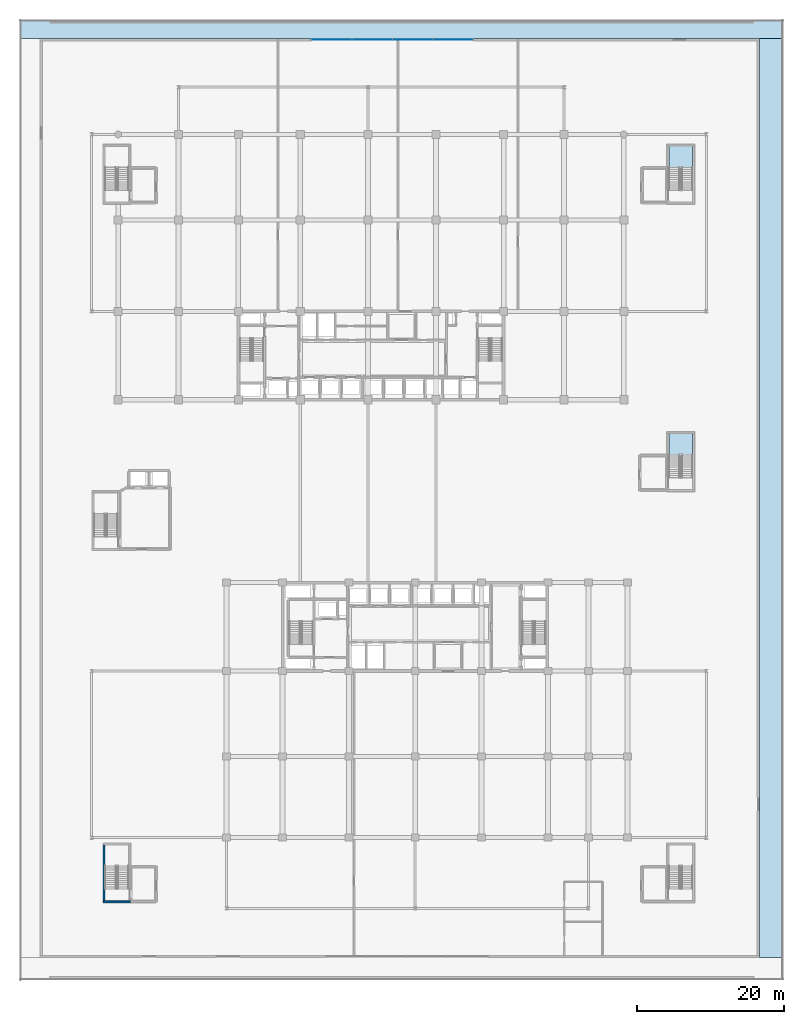
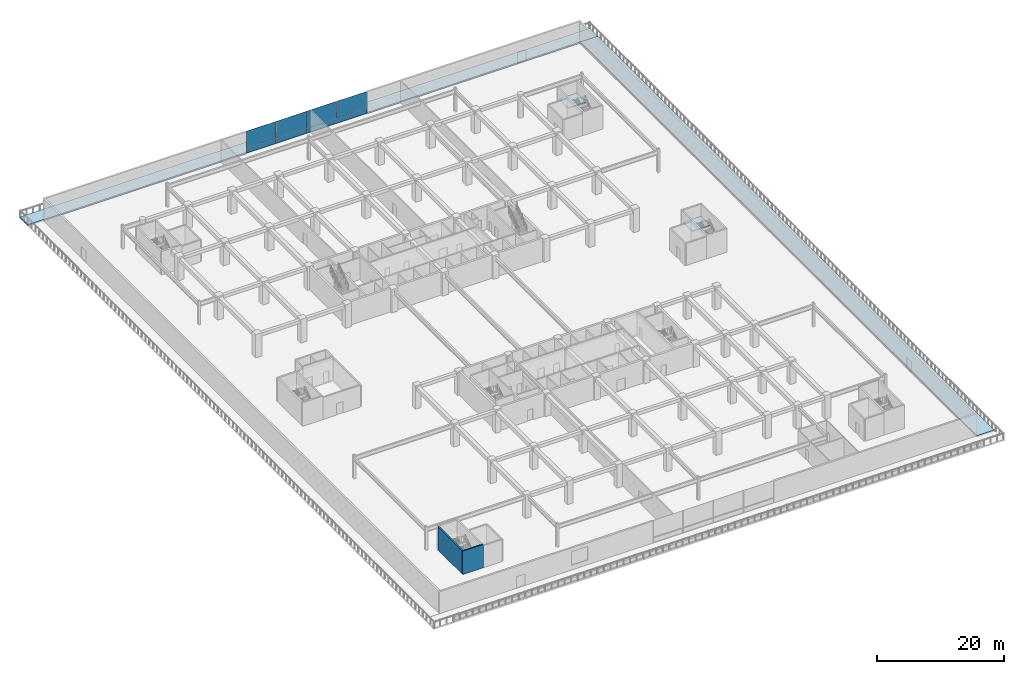
# One storey, part 17 of 43: 8 plates, 4 slabs, 2 walls, 3 elements without a shape of their own.
"""IFC4 building model written with IfcOpenShell, lengths in metres."""

from ifc_helpers import new_model, si_unit, direction, frame, frame_2d, origin, origin_2d, place, context, subcontext, project, spatial, polyline, rectangle, outline, extrude, material, layer, layer_set, type_object, element, aggregate, save


model = new_model("IFC4")

# Units and contexts
model_context = context("Model", 3, precision=1e-05, world=origin(), true_north=direction((0.0, 1.0)))
body_context = subcontext(model_context, "Body", "Model", "MODEL_VIEW")
ifc_project = project(units=[si_unit("LENGTHUNIT", "METRE"), si_unit("AREAUNIT", "SQUARE_METRE"), si_unit("VOLUMEUNIT", "CUBIC_METRE"), si_unit("PLANEANGLEUNIT", "RADIAN"), si_unit("MASSUNIT", "GRAM", prefix="KILO")], contexts=[model_context])

# Site, building, storey
site_placement = place(None, origin())
site = spatial("IfcSite", under=ifc_project, at=site_placement, CompositionType="ELEMENT")
building_placement = place(site_placement, origin())
building = spatial("IfcBuilding", under=site, at=building_placement, Name="Korimba Cascade Residences", CompositionType="ELEMENT")
storey_placement = place(building_placement, frame((0.0, 0.0, 10.0)))
storey = spatial("IfcBuildingStorey", under=building, at=storey_placement, Name="L02", CompositionType="ELEMENT", Elevation=10.0)

# Curtain wall, plates
ifc_material_1 = material(Name="Anodised Aluminium Curtain Wall Framing", Category="aluminium")
ifc_layer_1 = layer(ifc_material_1, 0.179931640625)
ifc_layer_set_1 = layer_set([ifc_layer_1], Name="Anodised Aluminium Curtain Wall Framing")
curtain_wall_type = type_object("IfcCurtainWallType", Name="CW-POD-SYS1", PredefinedType="NOTDEFINED", material=ifc_layer_set_1)
curtain_wall_placement = place(storey_placement, origin())
curtain_wall = element("IfcCurtainWall", 1, at=curtain_wall_placement, inside=storey, type_object=curtain_wall_type, Name="L02 Curtain Wall CW-L02-POD-N", PredefinedType="NOTDEFINED")
ifc_material_2 = material(Name="Insulated Stone-Tone Spandrel Panel", Category="masonry")
ifc_layer_2 = layer(ifc_material_2, 0.0400390625)
ifc_layer_set_2 = layer_set([ifc_layer_2], Name="Insulated Stone-Tone Spandrel Panel")
plate_type_1 = type_object("IfcPlateType", Name="CWP-SPN-40", PredefinedType="USERDEFINED", material=ifc_layer_set_2)
plate_1_placement = place(storey_placement, frame((105.22998046875, 104.050048828125, 0.0), z_axis=(0.0, 0.0, 1.0), x_axis=(-1.0, 0.0, 0.0)))
plate_1 = element("IfcPlate", 2, at=plate_1_placement, type_object=plate_type_1, Name="CW-L02-POD-N Spandrel Panel 1", ObjectType="SPANDREL", PredefinedType="USERDEFINED", context=body_context, shape_type="SweptSolid", body=[
    extrude(rectangle(XDim=5.409912109375, YDim=0.0400390625, at=origin_2d()), origin(), (0.0, 0.0, 1.0), 0.89990234375),
])
plate_2_placement = place(storey_placement, frame((99.75, 104.050048828125, 0.0), z_axis=(0.0, 0.0, 1.0), x_axis=(-1.0, 0.0, 0.0)))
plate_2 = element("IfcPlate", 3, at=plate_2_placement, type_object=plate_type_1, Name="CW-L02-POD-N Spandrel Panel 2", ObjectType="SPANDREL", PredefinedType="USERDEFINED", context=body_context, shape_type="SweptSolid", body=[
    extrude(rectangle(XDim=5.449951171875, YDim=0.0400390625, at=origin_2d()), origin(), (0.0, 0.0, 1.0), 0.89990234375),
])
plate_3_placement = place(storey_placement, frame((94.25, 104.050048828125, 0.0), z_axis=(0.0, 0.0, 1.0), x_axis=(-1.0, 0.0, 0.0)))
plate_3 = element("IfcPlate", 4, at=plate_3_placement, type_object=plate_type_1, Name="CW-L02-POD-N Spandrel Panel 3", ObjectType="SPANDREL", PredefinedType="USERDEFINED", context=body_context, shape_type="SweptSolid", body=[
    extrude(rectangle(XDim=5.449951171875, YDim=0.0400390625, at=origin_2d()), origin(), (0.0, 0.0, 1.0), 0.89990234375),
])
plate_4_placement = place(storey_placement, frame((88.77001953125, 104.050048828125, 0.0), z_axis=(0.0, 0.0, 1.0), x_axis=(-1.0, 0.0, 0.0)))
plate_4 = element("IfcPlate", 5, at=plate_4_placement, type_object=plate_type_1, Name="CW-L02-POD-N Spandrel Panel 4", ObjectType="SPANDREL", PredefinedType="USERDEFINED", context=body_context, shape_type="SweptSolid", body=[
    extrude(rectangle(XDim=5.409912109375, YDim=0.0400390625, at=origin_2d()), origin(), (0.0, 0.0, 1.0), 0.89990234375),
])
ifc_material_3 = material(Name="Low-E Double Glazing Unit", Category="glass")
ifc_layer_3 = layer(ifc_material_3, 0.028076171875)
ifc_layer_set_3 = layer_set([ifc_layer_3], Name="Low-E Double Glazing Unit")
plate_type_2 = type_object("IfcPlateType", Name="CWP-VIS-28", PredefinedType="CURTAIN_PANEL", material=ifc_layer_set_3)
plate_5_placement = place(storey_placement, frame((105.22998046875, 104.050048828125, 0.89990234375), z_axis=(0.0, 0.0, 1.0), x_axis=(-1.0, 0.0, 0.0)))
plate_5 = element("IfcPlate", 6, at=plate_5_placement, type_object=plate_type_2, Name="CW-L02-POD-N Vision Glass Panel 1", PredefinedType="CURTAIN_PANEL", context=body_context, shape_type="SweptSolid", body=[
    extrude(rectangle(XDim=5.409912109375, YDim=0.028076171875, at=origin_2d()), origin(), (0.0, 0.0, 1.0), 3.300048828125),
])
plate_6_placement = place(storey_placement, frame((99.75, 104.050048828125, 0.89990234375), z_axis=(0.0, 0.0, 1.0), x_axis=(-1.0, 0.0, 0.0)))
plate_6 = element("IfcPlate", 7, at=plate_6_placement, type_object=plate_type_2, Name="CW-L02-POD-N Vision Glass Panel 2", PredefinedType="CURTAIN_PANEL", context=body_context, shape_type="SweptSolid", body=[
    extrude(rectangle(XDim=5.449951171875, YDim=0.028076171875, at=origin_2d()), origin(), (0.0, 0.0, 1.0), 3.300048828125),
])
plate_7_placement = place(storey_placement, frame((94.25, 104.050048828125, 0.89990234375), z_axis=(0.0, 0.0, 1.0), x_axis=(-1.0, 0.0, 0.0)))
plate_7 = element("IfcPlate", 8, at=plate_7_placement, type_object=plate_type_2, Name="CW-L02-POD-N Vision Glass Panel 3", PredefinedType="CURTAIN_PANEL", context=body_context, shape_type="SweptSolid", body=[
    extrude(rectangle(XDim=5.449951171875, YDim=0.028076171875, at=origin_2d()), origin(), (0.0, 0.0, 1.0), 3.300048828125),
])
plate_8_placement = place(storey_placement, frame((88.77001953125, 104.050048828125, 0.89990234375), z_axis=(0.0, 0.0, 1.0), x_axis=(-1.0, 0.0, 0.0)))
plate_8 = element("IfcPlate", 9, at=plate_8_placement, type_object=plate_type_2, Name="CW-L02-POD-N Vision Glass Panel 4", PredefinedType="CURTAIN_PANEL", context=body_context, shape_type="SweptSolid", body=[
    extrude(rectangle(XDim=5.409912109375, YDim=0.028076171875, at=origin_2d()), origin(), (0.0, 0.0, 1.0), 3.300048828125),
])
aggregate(curtain_wall, [plate_1, plate_5, plate_2, plate_6, plate_3, plate_7, plate_4, plate_8])

# Stair, slab
ifc_material_4 = material(Name="Concrete C50/60", Category="concrete")
stair_type_1 = type_object("IfcStairType", Name="STR-P2-24R-1875", PredefinedType="HALF_TURN_STAIR", material=ifc_material_4)
stair_1_placement = place(storey_placement, origin())
stair_1 = element("IfcStair", 10, at=stair_1_placement, inside=storey, type_object=stair_type_1, Name="L02 Podium East Fire Stair ST-P2", PredefinedType="HALF_TURN_STAIR")
ifc_layer_4 = layer(ifc_material_4, 0.199951171875)
ifc_layer_set_4 = layer_set([ifc_layer_4], Name="Concrete C50/60")
slab_type_1 = type_object("IfcSlabType", Name="SLB-LND-220", PredefinedType="LANDING", material=ifc_layer_set_4)
slab_1_placement = place(storey_placement, frame((0.0, 0.0, 2.050048828125)))
slab_1 = element("IfcSlab", 11, at=slab_1_placement, type_object=slab_type_1, Name="ST-P2 landing 1", PredefinedType="LANDING", context=body_context, shape_type="SweptSolid", body=[
    extrude(outline(polyline([(137.739990234375, 47.72998046875), (137.739990234375, 50.60009765625), (134.5, 50.60009765625), (134.5, 47.72998046875), (137.739990234375, 47.72998046875)])), origin(), (0.0, 0.0, 1.0), 0.199951171875),
])
aggregate(stair_1, [slab_1])

stair_type_2 = type_object("IfcStairType", Name="STR-P4-24R-1875", PredefinedType="HALF_TURN_STAIR", material=ifc_material_4)
stair_2_placement = place(storey_placement, origin())
stair_2 = element("IfcStair", 12, at=stair_2_placement, inside=storey, type_object=stair_type_2, Name="L02 Podium North-East Corner Fire Stair ST-P4", PredefinedType="HALF_TURN_STAIR")
slab_2_placement = place(storey_placement, frame((0.0, 0.0, 2.050048828125)))
slab_2 = element("IfcSlab", 13, at=slab_2_placement, type_object=slab_type_1, Name="ST-P4 landing 1", PredefinedType="LANDING", context=body_context, shape_type="SweptSolid", body=[
    extrude(outline(polyline([(137.739990234375, 86.72998046875), (137.739990234375, 89.60009765625), (134.5, 89.60009765625), (134.5, 86.72998046875), (137.739990234375, 86.72998046875)])), origin(), (0.0, 0.0, 1.0), 0.199951171875),
])
aggregate(stair_2, [slab_2])

# Slabs
ifc_layer_5 = layer(ifc_material_4, 0.260009765625)
ifc_layer_set_5 = layer_set([ifc_layer_5], Name="Concrete C50/60")
slab_type_2 = type_object("IfcSlabType", Name="SLB-TER-260", PredefinedType="FLOOR", material=ifc_layer_set_5)
slab_3_placement = place(storey_placement, frame((0.0, 0.0, -0.260009765625)))
element("IfcSlab", 14, at=slab_3_placement, inside=storey, type_object=slab_type_2, Name="L02 Cascading Garden Terrace Slab N", PredefinedType="FLOOR", context=body_context, shape_type="SweptSolid", body=[
    extrude(outline(polyline([(46.5, 104.199951171875), (150.0, 104.199951171875), (150.0, 106.699951171875), (46.5, 106.699951171875), (46.5, 104.199951171875)])), origin(), (0.0, 0.0, 1.0), 0.260009765625),
])
slab_4_placement = place(storey_placement, frame((0.0, 0.0, -0.260009765625)))
element("IfcSlab", 15, at=slab_4_placement, inside=storey, type_object=slab_type_2, Name="L02 Cascading Garden Terrace Slab E", PredefinedType="FLOOR", context=body_context, shape_type="SweptSolid", body=[
    extrude(outline(polyline([(146.800048828125, -20.5), (150.0, -20.5), (150.0, 104.199951171875), (146.800048828125, 104.199951171875), (146.800048828125, -20.5)])), origin(), (0.0, 0.0, 1.0), 0.260009765625),
])

# Walls
ifc_layer_6 = layer(ifc_material_4, 0.25)
ifc_layer_set_6 = layer_set([ifc_layer_6], Name="Concrete C50/60")
wall_type = type_object("IfcWallType", Name="WAL-SHAFT-250", PredefinedType="SHEAR", material=ifc_layer_set_6)
wall_1_placement = place(storey_placement, frame((57.875, -12.800048828125, 0.0), z_axis=(0.0, 0.0, 1.0), x_axis=(0.0, 1.0, 0.0)))
element("IfcWall", 16, at=wall_1_placement, inside=storey, type_object=wall_type, Name="L02 Core Shear Wall CW-L02-STP3W", PredefinedType="SHEAR", context=body_context, shape_type="SweptSolid", body=[
    extrude(rectangle(XDim=7.60009765625, YDim=0.25, at=frame_2d((3.800048828125, 0.0))), origin(), (0.0, 0.0, 1.0), 4.5),
])
wall_2_placement = place(storey_placement, frame((57.75, -12.925048828125, 0.0), z_axis=(0.0, 0.0, 1.0), x_axis=(1.0, 0.0, 0.0)))
element("IfcWall", 17, at=wall_2_placement, inside=storey, type_object=wall_type, Name="L02 Core Shear Wall CW-L02-STP3S", PredefinedType="SHEAR", context=body_context, shape_type="SweptSolid", body=[
    extrude(rectangle(XDim=3.739990234375, YDim=0.25, at=frame_2d((1.8701171875, 0.0))), origin(), (0.0, 0.0, 1.0), 4.5),
])

save(model, "model.ifc")
